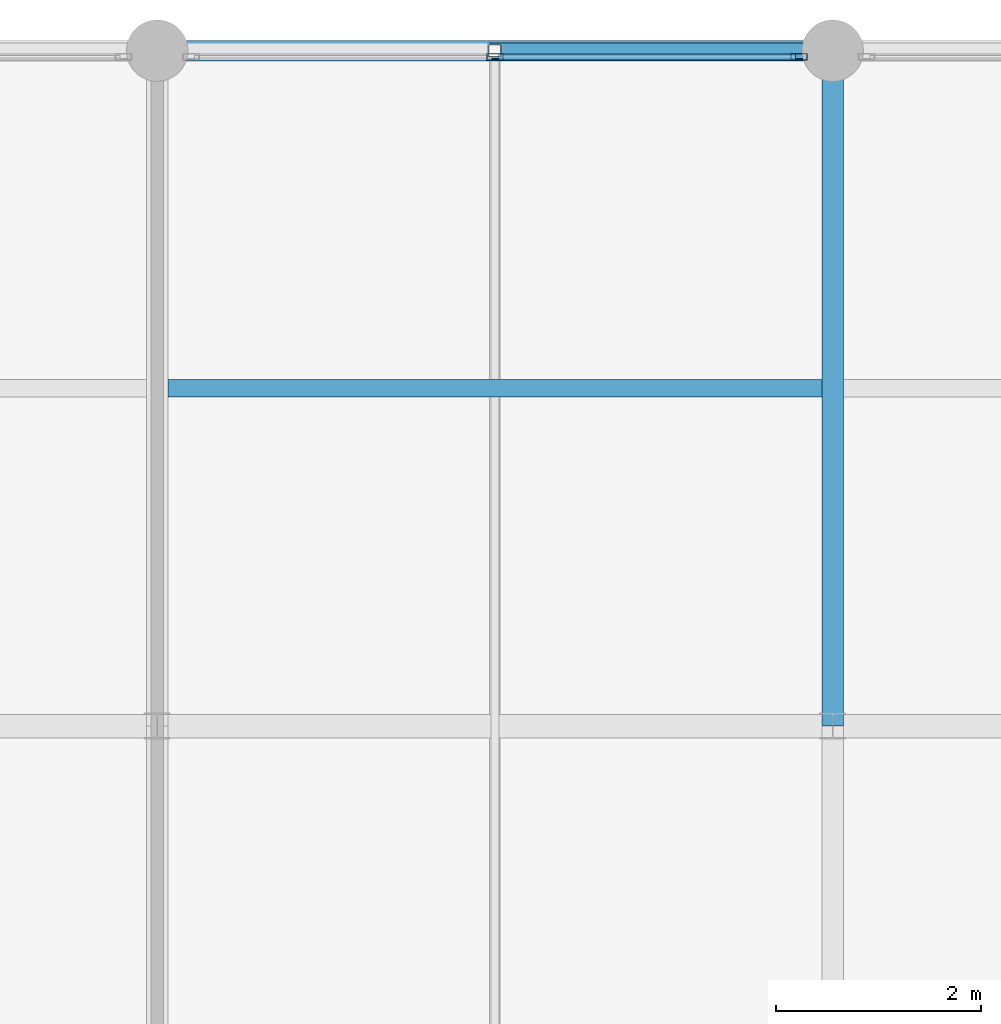
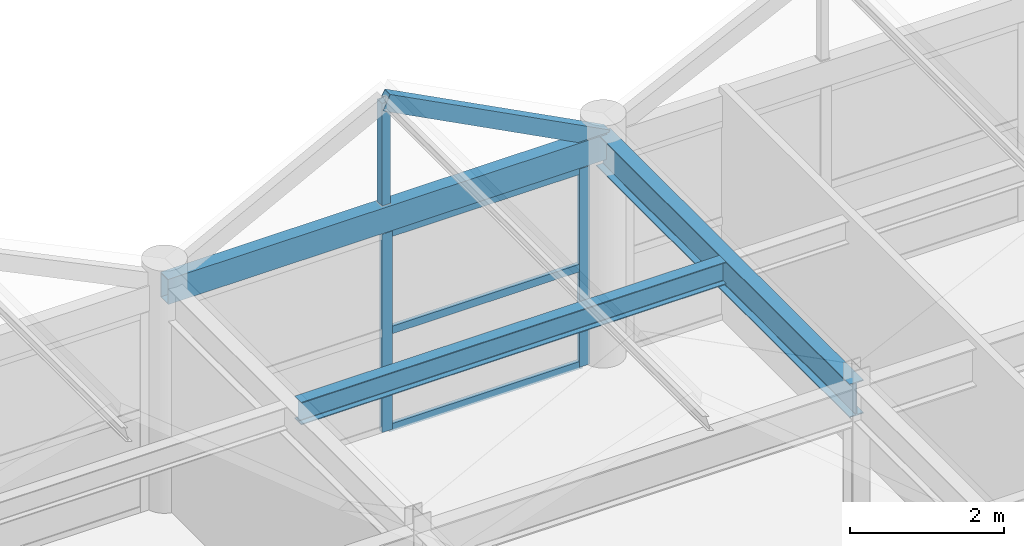
# One storey, part 10 of 21: 7 members, 3 beams, 1 element without a shape of its own.
"""IFC4 building model written with IfcOpenShell, lengths in metres."""

from ifc_helpers import new_model, si_unit, direction, frame, origin, origin_2d, place, context, subcontext, project, spatial, hollow_rectangle, i_section, extrude, material, material_profile, profile_set, type_object, element, aggregate, save


model = new_model("IFC4")

# Units and contexts
model_context = context("Model", 3, precision=1e-05, world=origin(), true_north=direction((0.0, 1.0)))
body_context = subcontext(model_context, "Body", "Model", "MODEL_VIEW")
ifc_project = project(units=[si_unit("LENGTHUNIT", "METRE"), si_unit("AREAUNIT", "SQUARE_METRE"), si_unit("VOLUMEUNIT", "CUBIC_METRE"), si_unit("PLANEANGLEUNIT", "RADIAN"), si_unit("MASSUNIT", "GRAM", prefix="KILO")], contexts=[model_context])

# Site, building, storey
site_placement = place(None, origin())
site = spatial("IfcSite", under=ifc_project, at=site_placement, CompositionType="ELEMENT")
building_placement = place(site_placement, origin())
building = spatial("IfcBuilding", under=site, at=building_placement, Name="Karori Crest Natural Sciences Institute", CompositionType="ELEMENT")
storey_placement = place(building_placement, frame((0.0, 0.0, 42.0)))
storey = spatial("IfcBuildingStorey", under=building, at=storey_placement, Name="L10", CompositionType="ELEMENT", Elevation=42.0)

# Beams
ifc_material_1 = material(Name="Structural steel AS/NZS 3679.1 Grade 350", Category="steel")
ifc_material_profile_1 = material_profile(ifc_material_1, i_section(OverallWidth=0.208984375, OverallDepth=0.532958984375, WebThickness=0.01025390625, FlangeThickness=0.015625, FilletRadius=0.013916015625, at=origin_2d()), Name="530UB92.4")
ifc_profile_set_1 = profile_set([ifc_material_profile_1], Name="Structural steel AS/NZS 3679.1 Grade 350")
beam_type_1 = type_object("IfcBeamType", Name="BT-05", PredefinedType="BEAM", material=ifc_profile_set_1)
beam_1_placement = place(storey_placement, frame((123.39990234375, 14.0, 3.303466796875), z_axis=(0.0, 1.0, 0.0), x_axis=(-1.0, 0.0, 0.0)))
element("IfcBeam", 1, at=beam_1_placement, inside=storey, type_object=beam_type_1, Name="Beam B-2858", PredefinedType="BEAM", context=body_context, shape_type="SweptSolid", body=[
    extrude(i_section(OverallWidth=0.208984375, OverallDepth=0.532958984375, WebThickness=0.01025390625, FlangeThickness=0.015625, FilletRadius=0.013916015625, at=origin_2d()), origin(), (0.0, 0.0, 1.0), 6.60009765625),
])
ifc_material_profile_2 = material_profile(ifc_material_1, i_section(OverallWidth=0.172119140625, OverallDepth=0.35888671875, WebThickness=0.008056640625, FlangeThickness=0.012939453125, FilletRadius=0.010986328125, at=origin_2d()), Name="360UB56.7")
ifc_profile_set_2 = profile_set([ifc_material_profile_2], Name="Structural steel AS/NZS 3679.1 Grade 350")
beam_type_2 = type_object("IfcBeamType", Name="BT-08", PredefinedType="BEAM", material=ifc_profile_set_2)
beam_2_placement = place(storey_placement, frame((116.904541015625, 17.300048828125, 3.390380859375), z_axis=(1.0, 0.0, 0.0), x_axis=(0.0, 1.0, 0.0)))
element("IfcBeam", 2, at=beam_2_placement, inside=storey, type_object=beam_type_2, Name="Beam B-2871", PredefinedType="BEAM", context=body_context, shape_type="SweptSolid", body=[
    extrude(i_section(OverallWidth=0.172119140625, OverallDepth=0.35888671875, WebThickness=0.008056640625, FlangeThickness=0.012939453125, FilletRadius=0.010986328125, at=origin_2d()), origin(), (0.0, 0.0, 1.0), 6.390869140625),
])
ifc_material_2 = material(Name="Hollow structural steel AS/NZS 1163 Grade C350", Category="steel")
ifc_material_profile_3 = material_profile(ifc_material_2, hollow_rectangle(XDim=0.199951171875, YDim=0.39990234375, WallThickness=0.012451171875, at=origin_2d()), Name="RHS400x200x12.5")
ifc_profile_set_3 = profile_set([ifc_material_profile_3], Name="Hollow structural steel AS/NZS 1163 Grade C350")
beam_type_3 = type_object("IfcBeamType", Name="BT-14", PredefinedType="SPANDREL", material=ifc_profile_set_3)
beam_3_placement = place(storey_placement, frame((116.800048828125, 20.60009765625, 3.3701171875), z_axis=(1.0, 0.0, 0.0), x_axis=(0.0, 1.0, 0.0)))
element("IfcBeam", 3, at=beam_3_placement, inside=storey, type_object=beam_type_3, Name="Beam B-2844", PredefinedType="SPANDREL", context=body_context, shape_type="SweptSolid", body=[
    extrude(hollow_rectangle(XDim=0.199951171875, YDim=0.39990234375, WallThickness=0.012451171875, at=origin_2d()), origin(), (0.0, 0.0, 1.0), 6.599853515625),
])

# Curtain wall, members
ifc_material_3 = material(Name="Anodised architectural aluminium 6063-T6", Category="aluminium")
curtain_wall_type = type_object("IfcCurtainWallType", Name="CWT-20", PredefinedType="NOTDEFINED", material=ifc_material_3)
curtain_wall_placement = place(storey_placement, origin())
curtain_wall = element("IfcCurtainWall", 4, at=curtain_wall_placement, inside=storey, type_object=curtain_wall_type, Name="Curtain wall CW-0381", PredefinedType="NOTDEFINED")
ifc_material_profile_4 = material_profile(ifc_material_3, hollow_rectangle(XDim=0.06494140625, YDim=0.159912109375, WallThickness=0.00390625, at=origin_2d()), Name="CWM160x65x4")
ifc_profile_set_4 = profile_set([ifc_material_profile_4], Name="Anodised architectural aluminium 6063-T6")
member_type_1 = type_object("IfcMemberType", Name="CWM-01", PredefinedType="MULLION", material=ifc_profile_set_4)
member_1_placement = place(storey_placement, frame((120.10009765625, 20.5400390625, 0.0), z_axis=(0.0, 0.0, 1.0), x_axis=(0.0, 1.0, 0.0)))
member_1 = element("IfcMember", 5, at=member_1_placement, type_object=member_type_1, Name="CW-0381 mullion 2", PredefinedType="MULLION", context=body_context, shape_type="SweptSolid", body=[
    extrude(hollow_rectangle(XDim=0.06494140625, YDim=0.159912109375, WallThickness=0.00390625, at=origin_2d()), origin(), (0.0, 0.0, 1.0), 3.155029296875),
])
member_2_placement = place(storey_placement, frame((123.069580078125, 20.5400390625, 0.0), z_axis=(0.0, 0.0, 1.0), x_axis=(0.0, 1.0, 0.0)))
member_2 = element("IfcMember", 6, at=member_2_placement, type_object=member_type_1, Name="CW-0381 mullion 3", PredefinedType="MULLION", context=body_context, shape_type="SweptSolid", body=[
    extrude(hollow_rectangle(XDim=0.06494140625, YDim=0.159912109375, WallThickness=0.00390625, at=origin_2d()), origin(), (0.0, 0.0, 1.0), 3.155029296875),
])
ifc_material_profile_5 = material_profile(ifc_material_3, hollow_rectangle(XDim=0.06005859375, YDim=0.1201171875, WallThickness=0.00390625, at=origin_2d()), Name="CWT120x60x4")
ifc_profile_set_5 = profile_set([ifc_material_profile_5], Name="Anodised architectural aluminium 6063-T6")
member_type_2 = type_object("IfcMemberType", Name="CWT-TR1", PredefinedType="USERDEFINED", material=ifc_profile_set_5)
member_3_placement = place(storey_placement, frame((120.132568359375, 20.5400390625, 0.030029296875), z_axis=(1.0, 0.0, 0.0), x_axis=(0.0, 1.0, 0.0)))
member_3 = element("IfcMember", 7, at=member_3_placement, type_object=member_type_2, Name="CW-0381 transom 2.1", ObjectType="TRANSOM", PredefinedType="USERDEFINED", context=body_context, shape_type="SweptSolid", body=[
    extrude(hollow_rectangle(XDim=0.06005859375, YDim=0.1201171875, WallThickness=0.00390625, at=origin_2d()), origin(), (0.0, 0.0, 1.0), 2.904541015625),
])
member_4_placement = place(storey_placement, frame((120.132568359375, 20.5400390625, 1.577392578125), z_axis=(1.0, 0.0, 0.0), x_axis=(0.0, 1.0, 0.0)))
member_4 = element("IfcMember", 8, at=member_4_placement, type_object=member_type_2, Name="CW-0381 transom 2.2", ObjectType="TRANSOM", PredefinedType="USERDEFINED", context=body_context, shape_type="SweptSolid", body=[
    extrude(hollow_rectangle(XDim=0.06005859375, YDim=0.1201171875, WallThickness=0.00390625, at=origin_2d()), origin(), (0.0, 0.0, 1.0), 2.904541015625),
])
member_5_placement = place(storey_placement, frame((120.132568359375, 20.5400390625, 3.125), z_axis=(1.0, 0.0, 0.0), x_axis=(0.0, 1.0, 0.0)))
member_5 = element("IfcMember", 9, at=member_5_placement, type_object=member_type_2, Name="CW-0381 transom 2.3", ObjectType="TRANSOM", PredefinedType="USERDEFINED", context=body_context, shape_type="SweptSolid", body=[
    extrude(hollow_rectangle(XDim=0.06005859375, YDim=0.1201171875, WallThickness=0.00390625, at=origin_2d()), origin(), (0.0, 0.0, 1.0), 2.904541015625),
])
aggregate(curtain_wall, [member_1, member_2, member_3, member_4, member_5])

# Members
ifc_material_profile_6 = material_profile(ifc_material_2, hollow_rectangle(XDim=0.14990234375, YDim=0.25, WallThickness=0.009033203125, at=origin_2d()), Name="RHS250x150x9")
ifc_profile_set_6 = profile_set([ifc_material_profile_6], Name="Hollow structural steel AS/NZS 1163 Grade C350")
member_type_3 = type_object("IfcMemberType", Name="MT-08", PredefinedType="RAFTER", material=ifc_profile_set_6)
member_6_placement = place(storey_placement, frame((123.39990234375, 20.60009765625, 3.489990234375), z_axis=(-0.886768441903, 0.0, 0.462213944451), x_axis=(0.0, -1.0, 0.0)))
element("IfcMember", 10, at=member_6_placement, inside=storey, type_object=member_type_3, Name="Member M-0480", PredefinedType="RAFTER", context=body_context, shape_type="SweptSolid", body=[
    extrude(hollow_rectangle(XDim=0.14990234375, YDim=0.25, WallThickness=0.009033203125, at=origin_2d()), origin(), (0.0, 0.0, 1.0), 3.72119140625),
])
ifc_material_profile_7 = material_profile(ifc_material_2, hollow_rectangle(XDim=0.125, YDim=0.125, WallThickness=0.006103515625, at=origin_2d()), Name="SHS125x125x6")
ifc_profile_set_7 = profile_set([ifc_material_profile_7], Name="Hollow structural steel AS/NZS 1163 Grade C350")
member_type_4 = type_object("IfcMemberType", Name="MT-20", PredefinedType="STRUT", material=ifc_profile_set_7)
member_7_placement = place(storey_placement, frame((120.10009765625, 20.60009765625, 3.58203125), z_axis=(0.0, 0.0, 1.0), x_axis=(1.0, 0.0, 0.0)))
element("IfcMember", 11, at=member_7_placement, inside=storey, type_object=member_type_4, Name="Member M-0476", PredefinedType="STRUT", context=body_context, shape_type="SweptSolid", body=[
    extrude(hollow_rectangle(XDim=0.125, YDim=0.125, WallThickness=0.006103515625, at=origin_2d()), origin(), (0.0, 0.0, 1.0), 1.6279296875),
])

save(model, "model.ifc")
